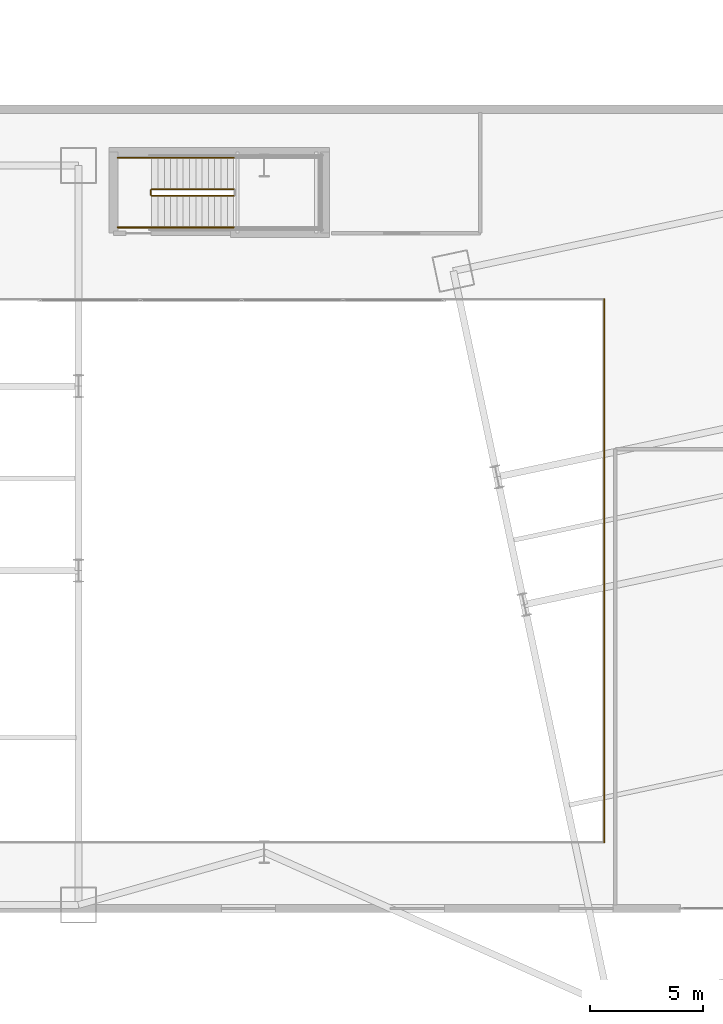
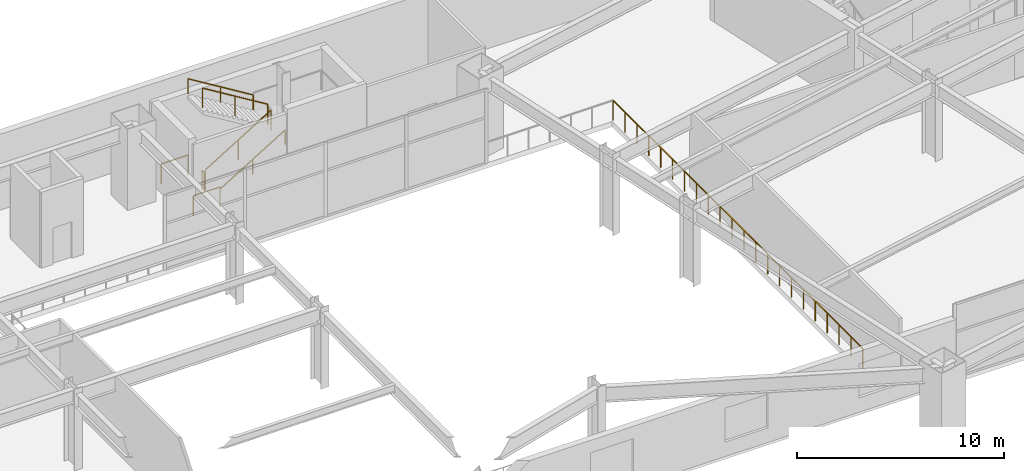
# One storey, part 27 of 30: 8 railings.
"""IFC4 building model written with IfcOpenShell, lengths in metres."""

from ifc_helpers import new_model, si_unit, direction, frame, origin, origin_2d, place, context, subcontext, project, spatial, rectangle, extrude, material, type_object, element, save


model = new_model("IFC4")

# Units and contexts
model_context = context("Model", 3, precision=1e-05, world=origin(), true_north=direction((0.0, 1.0)))
body_context = subcontext(model_context, "Body", "Model", "MODEL_VIEW")
ifc_project = project(units=[si_unit("LENGTHUNIT", "METRE"), si_unit("AREAUNIT", "SQUARE_METRE"), si_unit("VOLUMEUNIT", "CUBIC_METRE"), si_unit("PLANEANGLEUNIT", "RADIAN"), si_unit("MASSUNIT", "GRAM", prefix="KILO")], contexts=[model_context])

# Site, building, storey
site_placement = place(None, origin())
site = spatial("IfcSite", under=ifc_project, at=site_placement, CompositionType="ELEMENT")
building_placement = place(site_placement, origin())
building = spatial("IfcBuilding", under=site, at=building_placement, Name="Haevon Station Towers", CompositionType="ELEMENT")
storey_placement = place(building_placement, frame((0.0, 0.0, 15.60009765625)))
storey = spatial("IfcBuildingStorey", under=building, at=storey_placement, Name="L03", CompositionType="ELEMENT", Elevation=15.60009765625)

# Railings
ifc_material = material(Name="Steel S355", Category="steel")
railing_type_1 = type_object("IfcRailingType", Name="BAL-ATR1200", PredefinedType="BALUSTRADE", material=ifc_material)
railing_1_placement = place(storey_placement, frame((88.09814453125, 17.930908203125, 0.0)))
element("IfcRailing", 1, at=railing_1_placement, inside=storey, type_object=railing_type_1, Name="L03 Atrium Void Balustrade 2", PredefinedType="BALUSTRADE", context=body_context, shape_type="SweptSolid", body=[
    extrude(rectangle(XDim=0.048095703125, YDim=0.048095703125, at=origin_2d()), frame((0.0, 0.0, 1.17578125), z_axis=(0.0, 1.0, 0.0), x_axis=(-1.0, 0.0, 0.0)), (0.0, 0.0, 1.0), 24.13818359375),
    extrude(rectangle(XDim=0.0419921875, YDim=0.0419921875, at=origin_2d()), origin(), (0.0, 0.0, 1.0), 1.15185546875),
    extrude(rectangle(XDim=0.0419921875, YDim=0.0419921875, at=origin_2d()), frame((0.0, 1.1494140625, 0.0)), (0.0, 0.0, 1.0), 1.15185546875),
    extrude(rectangle(XDim=0.0419921875, YDim=0.0419921875, at=origin_2d()), frame((0.0, 2.298828125, 0.0)), (0.0, 0.0, 1.0), 1.15185546875),
    extrude(rectangle(XDim=0.0419921875, YDim=0.0419921875, at=origin_2d()), frame((0.0, 3.4482421875, 0.0)), (0.0, 0.0, 1.0), 1.15185546875),
    extrude(rectangle(XDim=0.0419921875, YDim=0.0419921875, at=origin_2d()), frame((0.0, 4.59765625, 0.0)), (0.0, 0.0, 1.0), 1.15185546875),
    extrude(rectangle(XDim=0.0419921875, YDim=0.0419921875, at=origin_2d()), frame((0.0, 5.7470703125, 0.0)), (0.0, 0.0, 1.0), 1.15185546875),
    extrude(rectangle(XDim=0.0419921875, YDim=0.0419921875, at=origin_2d()), frame((0.0, 6.896728515625, 0.0)), (0.0, 0.0, 1.0), 1.15185546875),
    extrude(rectangle(XDim=0.0419921875, YDim=0.0419921875, at=origin_2d()), frame((0.0, 8.046142578125, 0.0)), (0.0, 0.0, 1.0), 1.15185546875),
    extrude(rectangle(XDim=0.0419921875, YDim=0.0419921875, at=origin_2d()), frame((0.0, 9.195556640625, 0.0)), (0.0, 0.0, 1.0), 1.15185546875),
    extrude(rectangle(XDim=0.0419921875, YDim=0.0419921875, at=origin_2d()), frame((0.0, 10.344970703125, 0.0)), (0.0, 0.0, 1.0), 1.15185546875),
    extrude(rectangle(XDim=0.0419921875, YDim=0.0419921875, at=origin_2d()), frame((0.0, 11.494384765625, 0.0)), (0.0, 0.0, 1.0), 1.15185546875),
    extrude(rectangle(XDim=0.0419921875, YDim=0.0419921875, at=origin_2d()), frame((0.0, 12.643798828125, 0.0)), (0.0, 0.0, 1.0), 1.15185546875),
    extrude(rectangle(XDim=0.0419921875, YDim=0.0419921875, at=origin_2d()), frame((0.0, 13.793212890625, 0.0)), (0.0, 0.0, 1.0), 1.15185546875),
    extrude(rectangle(XDim=0.0419921875, YDim=0.0419921875, at=origin_2d()), frame((0.0, 14.942626953125, 0.0)), (0.0, 0.0, 1.0), 1.15185546875),
    extrude(rectangle(XDim=0.0419921875, YDim=0.0419921875, at=origin_2d()), frame((0.0, 16.092041015625, 0.0)), (0.0, 0.0, 1.0), 1.15185546875),
    extrude(rectangle(XDim=0.0419921875, YDim=0.0419921875, at=origin_2d()), frame((0.0, 17.241455078125, 0.0)), (0.0, 0.0, 1.0), 1.15185546875),
    extrude(rectangle(XDim=0.0419921875, YDim=0.0419921875, at=origin_2d()), frame((0.0, 18.39111328125, 0.0)), (0.0, 0.0, 1.0), 1.15185546875),
    extrude(rectangle(XDim=0.0419921875, YDim=0.0419921875, at=origin_2d()), frame((0.0, 19.54052734375, 0.0)), (0.0, 0.0, 1.0), 1.15185546875),
    extrude(rectangle(XDim=0.0419921875, YDim=0.0419921875, at=origin_2d()), frame((0.0, 20.68994140625, 0.0)), (0.0, 0.0, 1.0), 1.15185546875),
    extrude(rectangle(XDim=0.0419921875, YDim=0.0419921875, at=origin_2d()), frame((0.0, 21.83935546875, 0.0)), (0.0, 0.0, 1.0), 1.15185546875),
    extrude(rectangle(XDim=0.0419921875, YDim=0.0419921875, at=origin_2d()), frame((0.0, 22.98876953125, 0.0)), (0.0, 0.0, 1.0), 1.15185546875),
    extrude(rectangle(XDim=0.0419921875, YDim=0.0419921875, at=origin_2d()), frame((0.0, 24.13818359375, 0.0)), (0.0, 0.0, 1.0), 1.15185546875),
])
railing_type_2 = type_object("IfcRailingType", Name="GRD-STR1200", PredefinedType="GUARDRAIL", material=ifc_material)
railing_2_placement = place(storey_placement, frame((68.0, 46.64990234375, 0.17138671875)))
element("IfcRailing", 2, at=railing_2_placement, inside=storey, type_object=railing_type_2, Name="L03 ST6 Stair Guard 1", PredefinedType="GUARDRAIL", context=body_context, shape_type="SweptSolid", body=[
    extrude(rectangle(XDim=0.048095703125, YDim=0.048095703125, at=origin_2d()), frame((0.0, 0.0, 1.17578125), z_axis=(0.852850264322, 0.0, 0.5221555579), x_axis=(0.0, 1.0, 0.0)), (0.0, 0.0, 1.0), 4.267822265625),
    extrude(rectangle(XDim=0.0419921875, YDim=0.0419921875, at=origin_2d()), origin(), (0.0, 0.0, 1.0), 1.15185546875),
    extrude(rectangle(XDim=0.0419921875, YDim=0.0419921875, at=origin_2d()), frame((1.81982421875, 0.0, 1.1142578125)), (0.0, 0.0, 1.0), 1.15185546875),
    extrude(rectangle(XDim=0.0419921875, YDim=0.0419921875, at=origin_2d()), frame((3.639892578125, 0.0, 2.228515625)), (0.0, 0.0, 1.0), 1.15185546875),
])
railing_3_placement = place(storey_placement, frame((71.639892578125, 46.949951171875, 2.5712890625)))
element("IfcRailing", 3, at=railing_3_placement, inside=storey, type_object=railing_type_2, Name="L03 ST6 Stair Guard 6", PredefinedType="GUARDRAIL", context=body_context, shape_type="SweptSolid", body=[
    extrude(rectangle(XDim=0.048095703125, YDim=0.048095703125, at=origin_2d()), frame((0.0, 0.0, 1.17578125), z_axis=(-0.852850264322, 0.0, 0.5221555579), x_axis=(0.0, -1.0, 0.0)), (0.0, 0.0, 1.0), 4.267822265625),
    extrude(rectangle(XDim=0.0419921875, YDim=0.0419921875, at=origin_2d()), origin(), (0.0, 0.0, 1.0), 1.15185546875),
    extrude(rectangle(XDim=0.0419921875, YDim=0.0419921875, at=origin_2d()), frame((-1.81982421875, 0.0, 1.1142578125)), (0.0, 0.0, 1.0), 1.15185546875),
    extrude(rectangle(XDim=0.0419921875, YDim=0.0419921875, at=origin_2d()), frame((-3.639892578125, 0.0, 2.228515625)), (0.0, 0.0, 1.0), 1.15185546875),
])
railing_4_placement = place(storey_placement, frame((67.949951171875, 46.699951171875, 0.0)))
element("IfcRailing", 4, at=railing_4_placement, inside=storey, type_object=railing_type_2, Name="L03 ST6 Stair Guard 7", PredefinedType="GUARDRAIL", context=body_context, shape_type="SweptSolid", body=[
    extrude(rectangle(XDim=0.048095703125, YDim=0.048095703125, at=origin_2d()), frame((0.0, 0.0, 1.17578125), z_axis=(0.0, 1.0, 0.0), x_axis=(-1.0, 0.0, 0.0)), (0.0, 0.0, 1.0), 0.199951171875),
    extrude(rectangle(XDim=0.0419921875, YDim=0.0419921875, at=origin_2d()), origin(), (0.0, 0.0, 1.0), 1.15185546875),
    extrude(rectangle(XDim=0.0419921875, YDim=0.0419921875, at=origin_2d()), frame((0.0, 0.199951171875, 0.0)), (0.0, 0.0, 1.0), 1.15185546875),
])
for number, where, name in (
    (5, (66.5, 45.25, 0.0), "L03 ST6 Stair Guard 8"),
    (6, (66.5, 48.35009765625, 0.0), "L03 ST6 Stair Guard 9"),
):
    element("IfcRailing", number, at=place(storey_placement, frame(where)), inside=storey, type_object=railing_type_2, Name=name, PredefinedType="GUARDRAIL", context=body_context, shape_type="SweptSolid", body=[
        extrude(rectangle(XDim=0.048095703125, YDim=0.048095703125, at=origin_2d()), frame((0.0, 0.0, 1.17578125), z_axis=(1.0, 0.0, 0.0), x_axis=(0.0, 1.0, 0.0)), (0.0, 0.0, 1.0), 1.5),
        extrude(rectangle(XDim=0.0419921875, YDim=0.0419921875, at=origin_2d()), origin(), (0.0, 0.0, 1.0), 1.15185546875),
        extrude(rectangle(XDim=0.0419921875, YDim=0.0419921875, at=origin_2d()), frame((1.5, 0.0, 0.0)), (0.0, 0.0, 1.0), 1.15185546875),
    ])
railing_type_3 = type_object("IfcRailingType", Name="HND-STR900", PredefinedType="HANDRAIL", material=ifc_material)
railing_5_placement = place(storey_placement, frame((68.0, 45.25, 0.17138671875)))
element("IfcRailing", 7, at=railing_5_placement, inside=storey, type_object=railing_type_3, Name="L03 ST6 Stair Handrail 1", PredefinedType="HANDRAIL", context=body_context, shape_type="SweptSolid", body=[
    extrude(rectangle(XDim=0.048095703125, YDim=0.048095703125, at=origin_2d()), frame((0.0, 0.0, 0.8759765625), z_axis=(0.852850264322, 0.0, 0.5221555579), x_axis=(0.0, 1.0, 0.0)), (0.0, 0.0, 1.0), 4.267822265625),
    extrude(rectangle(XDim=0.0419921875, YDim=0.0419921875, at=origin_2d()), origin(), (0.0, 0.0, 1.0), 0.851806640625),
    extrude(rectangle(XDim=0.0419921875, YDim=0.0419921875, at=origin_2d()), frame((1.81982421875, 0.0, 1.1142578125)), (0.0, 0.0, 1.0), 0.851806640625),
    extrude(rectangle(XDim=0.0419921875, YDim=0.0419921875, at=origin_2d()), frame((3.639892578125, 0.0, 2.228515625)), (0.0, 0.0, 1.0), 0.851806640625),
])
railing_6_placement = place(storey_placement, frame((71.639892578125, 48.35009765625, 2.5712890625)))
element("IfcRailing", 8, at=railing_6_placement, inside=storey, type_object=railing_type_3, Name="L03 ST6 Stair Handrail 2", PredefinedType="HANDRAIL", context=body_context, shape_type="SweptSolid", body=[
    extrude(rectangle(XDim=0.048095703125, YDim=0.048095703125, at=origin_2d()), frame((0.0, 0.0, 0.8759765625), z_axis=(-0.852850264322, 0.0, 0.5221555579), x_axis=(0.0, -1.0, 0.0)), (0.0, 0.0, 1.0), 4.267822265625),
    extrude(rectangle(XDim=0.0419921875, YDim=0.0419921875, at=origin_2d()), origin(), (0.0, 0.0, 1.0), 0.851806640625),
    extrude(rectangle(XDim=0.0419921875, YDim=0.0419921875, at=origin_2d()), frame((-1.81982421875, 0.0, 1.1142578125)), (0.0, 0.0, 1.0), 0.851806640625),
    extrude(rectangle(XDim=0.0419921875, YDim=0.0419921875, at=origin_2d()), frame((-3.639892578125, 0.0, 2.228515625)), (0.0, 0.0, 1.0), 0.851806640625),
])

save(model, "model.ifc")
